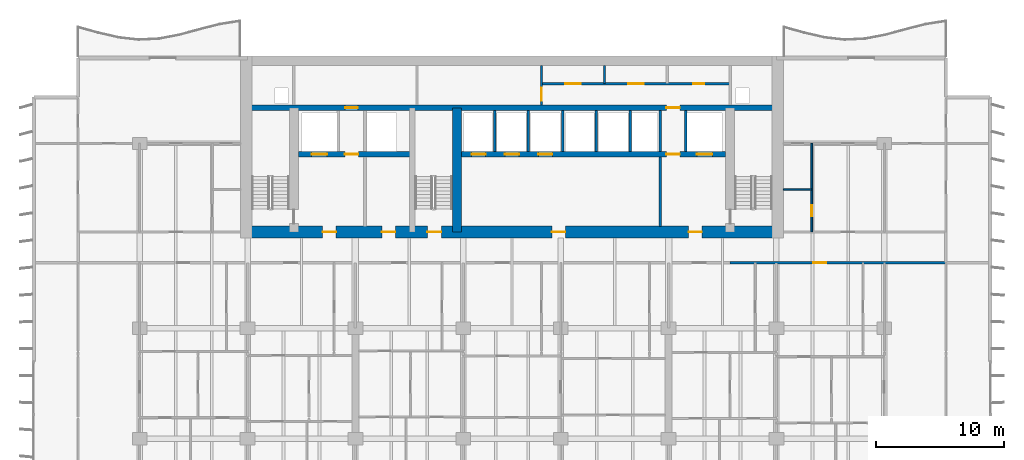
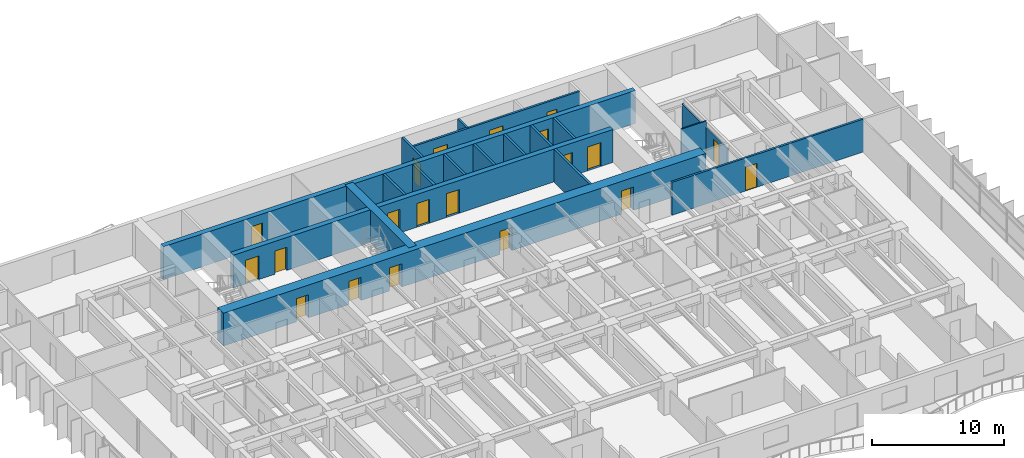
# One storey, part 11 of 18: 20 doors, 18 walls, 20 openings.
"""IFC4 building model written with IfcOpenShell, lengths in metres."""

from ifc_helpers import new_model, si_unit, direction, frame, frame_2d, origin, place, context, subcontext, project, spatial, rectangle, extrude, material, layer, layer_set, type_object, element, fill, save


model = new_model("IFC4")

# Units and contexts
model_context = context("Model", 3, precision=1e-05, world=origin(), true_north=direction((0.0, 1.0)))
body_context = subcontext(model_context, "Body", "Model", "MODEL_VIEW")
ifc_project = project(units=[si_unit("LENGTHUNIT", "METRE"), si_unit("AREAUNIT", "SQUARE_METRE"), si_unit("VOLUMEUNIT", "CUBIC_METRE"), si_unit("PLANEANGLEUNIT", "RADIAN"), si_unit("MASSUNIT", "GRAM", prefix="KILO")], contexts=[model_context])

# Site, building, storey
site_placement = place(None, origin())
site = spatial("IfcSite", under=ifc_project, at=site_placement, CompositionType="ELEMENT")
building_placement = place(site_placement, origin())
building = spatial("IfcBuilding", under=site, at=building_placement, Name="Caelmar Bay Residences", CompositionType="ELEMENT")
storey_placement = place(building_placement, frame((0.0, 0.0, 36.60009765625)))
storey = spatial("IfcBuildingStorey", under=building, at=storey_placement, Name="L08", CompositionType="ELEMENT", Elevation=36.60009765625)

# Wall
ifc_material_1 = material(Name="Concrete f'c 55 MPa (8,000 psi)", Category="concrete")
ifc_layer_1 = layer(ifc_material_1, 0.699951171875)
ifc_layer_set_1 = layer_set([ifc_layer_1], Name="Concrete f'c 55 MPa (8,000 psi)")
wall_type_1 = type_object("IfcWallType", Name="SW-COR-700", PredefinedType="SHEAR", material=ifc_layer_set_1)
wall_1_placement = place(storey_placement, frame((34.60009765625, 36.89990234375, 0.0), z_axis=(0.0, 0.0, 1.0), x_axis=(0.0, 1.0, 0.0)))
element("IfcWall", 1, at=wall_1_placement, inside=storey, type_object=wall_type_1, Name="L08 Core Structural Web Wall ST3E", PredefinedType="SHEAR", context=body_context, shape_type="SweptSolid", body=[
    extrude(rectangle(XDim=9.675048828125, YDim=0.699951171875, at=frame_2d((4.83740234375, 0.0))), origin(), (0.0, 0.0, 1.0), 3.0498046875),
])

# Wall, openings, doors
ifc_material_2 = material(Name="Concrete f'c 70 MPa (10,000 psi)", Category="concrete")
ifc_layer_2 = layer(ifc_material_2, 0.89990234375)
ifc_layer_set_2 = layer_set([ifc_layer_2], Name="Concrete f'c 70 MPa (10,000 psi)")
wall_type_2 = type_object("IfcWallType", Name="SW-COR-900", PredefinedType="SHEAR", material=ifc_layer_set_2)
wall_2_placement = place(storey_placement, frame((17.75, 36.89990234375, 0.0), z_axis=(0.0, 0.0, 1.0), x_axis=(1.0, 0.0, 0.0)))
wall_2 = element("IfcWall", 2, at=wall_2_placement, inside=storey, type_object=wall_type_2, Name="L08 Rear Core South Shear Wall", PredefinedType="SHEAR", context=body_context, shape_type="SweptSolid", body=[
    extrude(rectangle(XDim=42.300048828125, YDim=0.89990234375, at=frame_2d((21.14990234375, 0.0))), origin(), (0.0, 0.0, 1.0), 3.0498046875),
])
opening_1_placement = place(wall_2_placement, frame((14.550048828125, 0.0, 0.0)))
opening_1 = element("IfcOpeningElement", 3, at=opening_1_placement, cuts=wall_2, Name="Opening D-L08-106", PredefinedType="OPENING", context=body_context, shape_type="SweptSolid", body=[
    extrude(rectangle(XDim=1.10009765625, YDim=2.14990234375, at=frame_2d((0.550048828125, 1.074951171875))), frame((0.0, 0.4599609375, 0.0), z_axis=(0.0, -1.0, 0.0), x_axis=(1.0, 0.0, 0.0)), (0.0, 0.0, 1.0), 0.919921875),
])
opening_2_placement = place(wall_2_placement, frame((6.39990234375, 0.0, 0.0)))
opening_2 = element("IfcOpeningElement", 4, at=opening_2_placement, cuts=wall_2, Name="Opening D-L08-107", PredefinedType="OPENING", context=body_context, shape_type="SweptSolid", body=[
    extrude(rectangle(XDim=1.050048828125, YDim=2.14990234375, at=frame_2d((0.52490234375, 1.074951171875))), frame((0.0, 0.4599609375, 0.0), z_axis=(0.0, -1.0, 0.0), x_axis=(1.0, 0.0, 0.0)), (0.0, 0.0, 1.0), 0.919921875),
])
opening_3_placement = place(wall_2_placement, frame((34.89990234375, 0.0, 0.0)))
opening_3 = element("IfcOpeningElement", 5, at=opening_3_placement, cuts=wall_2, Name="Opening D-L08-110", PredefinedType="OPENING", context=body_context, shape_type="SweptSolid", body=[
    extrude(rectangle(XDim=1.050048828125, YDim=2.14990234375, at=frame_2d((0.52490234375, 1.074951171875))), frame((0.0, 0.4599609375, 0.0), z_axis=(0.0, -1.0, 0.0), x_axis=(1.0, 0.0, 0.0)), (0.0, 0.0, 1.0), 0.919921875),
])
opening_4_placement = place(wall_2_placement, frame((11.012451171875, 0.0, 0.0)))
opening_4 = element("IfcOpeningElement", 6, at=opening_4_placement, cuts=wall_2, Name="Opening D-L08-113", PredefinedType="OPENING", context=body_context, shape_type="SweptSolid", body=[
    extrude(rectangle(XDim=1.050048828125, YDim=2.14990234375, at=frame_2d((0.52490234375, 1.074951171875))), frame((0.0, 0.4599609375, 0.0), z_axis=(0.0, -1.0, 0.0), x_axis=(1.0, 0.0, 0.0)), (0.0, 0.0, 1.0), 0.919921875),
])
opening_5_placement = place(wall_2_placement, frame((24.25, 0.0, 0.0)))
opening_5 = element("IfcOpeningElement", 7, at=opening_5_placement, cuts=wall_2, Name="Opening D-L08-114", PredefinedType="OPENING", context=body_context, shape_type="SweptSolid", body=[
    extrude(rectangle(XDim=1.050048828125, YDim=2.14990234375, at=frame_2d((0.52490234375, 1.074951171875))), frame((0.0, 0.4599609375, 0.0), z_axis=(0.0, -1.0, 0.0), x_axis=(1.0, 0.0, 0.0)), (0.0, 0.0, 1.0), 0.919921875),
])
ifc_material_3 = material(Name="Fire-rated steel and walnut architectural door assembly", Category="steel")
ifc_layer_3 = layer(ifc_material_3, 0.050048828125)
ifc_layer_set_3 = layer_set([ifc_layer_3], Name="Fire-rated steel and walnut architectural door assembly")
door_type_1 = type_object("IfcDoorType", Name="D-FSAE-1050", OperationType="NOTDEFINED", PredefinedType="DOOR", material=ifc_layer_set_3)
door_1_placement = place(opening_2_placement, origin())
door_1 = element("IfcDoor", 8, at=door_1_placement, inside=storey, type_object=door_type_1, Name="L08 Firefighting Lobby West Door", OperationType="SINGLE_SWING_LEFT", OverallHeight=2.14990234375, OverallWidth=1.050048828125, PredefinedType="DOOR", context=body_context, shape_type="SweptSolid", body=[
    extrude(rectangle(XDim=1.050048828125, YDim=2.14990234375, at=frame_2d((0.52490234375, 1.074951171875))), frame((0.0, 0.02490234375, 0.0), z_axis=(0.0, -1.0, 0.0), x_axis=(1.0, 0.0, 0.0)), (0.0, 0.0, 1.0), 0.050048828125),
])
fill(opening_2, door_1)
door_2_placement = place(opening_3_placement, origin())
door_2 = element("IfcDoor", 9, at=door_2_placement, inside=storey, type_object=door_type_1, Name="L08 Firefighting Lobby East Door", OperationType="SINGLE_SWING_RIGHT", OverallHeight=2.14990234375, OverallWidth=1.050048828125, PredefinedType="DOOR", context=body_context, shape_type="SweptSolid", body=[
    extrude(rectangle(XDim=1.050048828125, YDim=2.14990234375, at=frame_2d((0.52490234375, 1.074951171875))), frame((0.0, 0.02490234375, 0.0), z_axis=(0.0, -1.0, 0.0), x_axis=(1.0, 0.0, 0.0)), (0.0, 0.0, 1.0), 0.050048828125),
])
fill(opening_3, door_2)
door_3_placement = place(opening_4_placement, origin())
door_3 = element("IfcDoor", 10, at=door_3_placement, inside=storey, type_object=door_type_1, Name="L08 West Lift Lobby Door", OperationType="SINGLE_SWING_LEFT", OverallHeight=2.14990234375, OverallWidth=1.050048828125, PredefinedType="DOOR", context=body_context, shape_type="SweptSolid", body=[
    extrude(rectangle(XDim=1.050048828125, YDim=2.14990234375, at=frame_2d((0.52490234375, 1.074951171875))), frame((0.0, 0.02490234375, 0.0), z_axis=(0.0, -1.0, 0.0), x_axis=(1.0, 0.0, 0.0)), (0.0, 0.0, 1.0), 0.050048828125),
])
fill(opening_4, door_3)
door_4_placement = place(opening_5_placement, origin())
door_4 = element("IfcDoor", 11, at=door_4_placement, inside=storey, type_object=door_type_1, Name="L08 Passenger Lift Lobby Door", OperationType="SINGLE_SWING_RIGHT", OverallHeight=2.14990234375, OverallWidth=1.050048828125, PredefinedType="DOOR", context=body_context, shape_type="SweptSolid", body=[
    extrude(rectangle(XDim=1.050048828125, YDim=2.14990234375, at=frame_2d((0.52490234375, 1.074951171875))), frame((0.0, 0.02490234375, 0.0), z_axis=(0.0, -1.0, 0.0), x_axis=(1.0, 0.0, 0.0)), (0.0, 0.0, 1.0), 0.050048828125),
])
fill(opening_5, door_4)
ifc_layer_4 = layer(ifc_material_3, 0.050048828125)
ifc_layer_set_4 = layer_set([ifc_layer_4], Name="Fire-rated steel and walnut architectural door assembly")
door_type_2 = type_object("IfcDoorType", Name="D-STAIR-1100", OperationType="NOTDEFINED", PredefinedType="DOOR", material=ifc_layer_set_4)
door_5_placement = place(opening_1_placement, origin())
door_5 = element("IfcDoor", 12, at=door_5_placement, inside=storey, type_object=door_type_2, Name="L08 Exit Stair ST3 Door", OperationType="SINGLE_SWING_RIGHT", OverallHeight=2.14990234375, OverallWidth=1.10009765625, PredefinedType="DOOR", context=body_context, shape_type="SweptSolid", body=[
    extrude(rectangle(XDim=1.10009765625, YDim=2.14990234375, at=frame_2d((0.550048828125, 1.074951171875))), frame((0.0, 0.02490234375, 0.0), z_axis=(0.0, -1.0, 0.0), x_axis=(1.0, 0.0, 0.0)), (0.0, 0.0, 1.0), 0.050048828125),
])
fill(opening_1, door_5)

ifc_layer_5 = layer(ifc_material_2, 0.449951171875)
ifc_layer_set_5 = layer_set([ifc_layer_5], Name="Concrete f'c 70 MPa (10,000 psi)")
wall_type_3 = type_object("IfcWallType", Name="SW-WEB-450", PredefinedType="SHEAR", material=ifc_layer_set_5)
wall_3_placement = place(storey_placement, frame((22.25, 42.949951171875, 0.0), z_axis=(0.0, 0.0, 1.0), x_axis=(1.0, 0.0, 0.0)))
wall_3 = element("IfcWall", 13, at=wall_3_placement, inside=storey, type_object=wall_type_3, Name="L08 Core Structural Web Wall LFR", PredefinedType="SHEAR", context=body_context, shape_type="SweptSolid", body=[
    extrude(rectangle(XDim=33.300048828125, YDim=0.449951171875, at=frame_2d((16.64990234375, 0.0))), origin(), (0.0, 0.0, 1.0), 3.0498046875),
])
opening_6_placement = place(wall_3_placement, frame((1.050048828125, 0.0, 0.0)))
opening_6 = element("IfcOpeningElement", 14, at=opening_6_placement, cuts=wall_3, Name="Opening LD2", PredefinedType="OPENING", context=body_context, shape_type="SweptSolid", body=[
    extrude(rectangle(XDim=1.199951171875, YDim=2.199951171875, at=frame_2d((0.60009765625, 1.10009765625))), frame((0.0, 0.23486328125, 0.0), z_axis=(0.0, -1.0, 0.0), x_axis=(1.0, 0.0, 0.0)), (0.0, 0.0, 1.0), 0.469970703125),
])
opening_7_placement = place(wall_3_placement, frame((31.050048828125, 0.0, 0.0)))
opening_7 = element("IfcOpeningElement", 15, at=opening_7_placement, cuts=wall_3, Name="Opening LD2", PredefinedType="OPENING", context=body_context, shape_type="SweptSolid", body=[
    extrude(rectangle(XDim=1.199951171875, YDim=2.199951171875, at=frame_2d((0.60009765625, 1.10009765625))), frame((0.0, 0.23486328125, 0.0), z_axis=(0.0, -1.0, 0.0), x_axis=(1.0, 0.0, 0.0)), (0.0, 0.0, 1.0), 0.469970703125),
])
opening_8_placement = place(wall_3_placement, frame((13.5, 0.0, 0.0)))
opening_8 = element("IfcOpeningElement", 16, at=opening_8_placement, cuts=wall_3, Name="Opening LD1", PredefinedType="OPENING", context=body_context, shape_type="SweptSolid", body=[
    extrude(rectangle(XDim=1.10009765625, YDim=2.199951171875, at=frame_2d((0.550048828125, 1.10009765625))), frame((0.0, 0.23486328125, 0.0), z_axis=(0.0, -1.0, 0.0), x_axis=(1.0, 0.0, 0.0)), (0.0, 0.0, 1.0), 0.469970703125),
])
opening_9_placement = place(wall_3_placement, frame((16.10009765625, 0.0, 0.0)))
opening_9 = element("IfcOpeningElement", 17, at=opening_9_placement, cuts=wall_3, Name="Opening LD1", PredefinedType="OPENING", context=body_context, shape_type="SweptSolid", body=[
    extrude(rectangle(XDim=1.10009765625, YDim=2.199951171875, at=frame_2d((0.550048828125, 1.10009765625))), frame((0.0, 0.23486328125, 0.0), z_axis=(0.0, -1.0, 0.0), x_axis=(1.0, 0.0, 0.0)), (0.0, 0.0, 1.0), 0.469970703125),
])
opening_10_placement = place(wall_3_placement, frame((18.699951171875, 0.0, 0.0)))
opening_10 = element("IfcOpeningElement", 18, at=opening_10_placement, cuts=wall_3, Name="Opening LD1", PredefinedType="OPENING", context=body_context, shape_type="SweptSolid", body=[
    extrude(rectangle(XDim=1.10009765625, YDim=2.199951171875, at=frame_2d((0.550048828125, 1.10009765625))), frame((0.0, 0.23486328125, 0.0), z_axis=(0.0, -1.0, 0.0), x_axis=(1.0, 0.0, 0.0)), (0.0, 0.0, 1.0), 0.469970703125),
])
opening_11_placement = place(wall_3_placement, frame((3.625, 0.0, 0.0)))
opening_11 = element("IfcOpeningElement", 19, at=opening_11_placement, cuts=wall_3, Name="Opening D-L08-109", PredefinedType="OPENING", context=body_context, shape_type="SweptSolid", body=[
    extrude(rectangle(XDim=1.050048828125, YDim=2.14990234375, at=frame_2d((0.52490234375, 1.074951171875))), frame((0.0, 0.23486328125, 0.0), z_axis=(0.0, -1.0, 0.0), x_axis=(1.0, 0.0, 0.0)), (0.0, 0.0, 1.0), 0.469970703125),
])
opening_12_placement = place(wall_3_placement, frame((28.675048828125, 0.0, 0.0)))
opening_12 = element("IfcOpeningElement", 20, at=opening_12_placement, cuts=wall_3, Name="Opening D-L08-112", PredefinedType="OPENING", context=body_context, shape_type="SweptSolid", body=[
    extrude(rectangle(XDim=1.050048828125, YDim=2.14990234375, at=frame_2d((0.52490234375, 1.074951171875))), frame((0.0, 0.23486328125, 0.0), z_axis=(0.0, -1.0, 0.0), x_axis=(1.0, 0.0, 0.0)), (0.0, 0.0, 1.0), 0.469970703125),
])
door_6_placement = place(opening_11_placement, origin())
door_6 = element("IfcDoor", 21, at=door_6_placement, inside=storey, type_object=door_type_1, Name="L08 Firefighting Lobby West Door", OperationType="SINGLE_SWING_LEFT", OverallHeight=2.14990234375, OverallWidth=1.050048828125, PredefinedType="DOOR", context=body_context, shape_type="SweptSolid", body=[
    extrude(rectangle(XDim=1.050048828125, YDim=2.14990234375, at=frame_2d((0.52490234375, 1.074951171875))), frame((0.0, 0.02490234375, 0.0), z_axis=(0.0, -1.0, 0.0), x_axis=(1.0, 0.0, 0.0)), (0.0, 0.0, 1.0), 0.050048828125),
])
fill(opening_11, door_6)
door_7_placement = place(opening_12_placement, origin())
door_7 = element("IfcDoor", 22, at=door_7_placement, inside=storey, type_object=door_type_1, Name="L08 Firefighting Lobby East Door", OperationType="SINGLE_SWING_RIGHT", OverallHeight=2.14990234375, OverallWidth=1.050048828125, PredefinedType="DOOR", context=body_context, shape_type="SweptSolid", body=[
    extrude(rectangle(XDim=1.050048828125, YDim=2.14990234375, at=frame_2d((0.52490234375, 1.074951171875))), frame((0.0, 0.02490234375, 0.0), z_axis=(0.0, -1.0, 0.0), x_axis=(1.0, 0.0, 0.0)), (0.0, 0.0, 1.0), 0.050048828125),
])
fill(opening_12, door_7)
ifc_material_4 = material(Name="Brushed bronze stainless-steel fire-rated lift landing doors", Category="steel")
ifc_layer_6 = layer(ifc_material_4, 0.050048828125)
ifc_layer_set_6 = layer_set([ifc_layer_6], Name="Brushed bronze stainless-steel fire-rated lift landing doors")
door_type_3 = type_object("IfcDoorType", Name="D-LND-1100", OperationType="DOUBLE_DOOR_SLIDING", PredefinedType="DOOR", material=ifc_layer_set_6)
door_8_placement = place(opening_8_placement, origin())
door_8 = element("IfcDoor", 23, at=door_8_placement, inside=storey, type_object=door_type_3, Name="L08 LP1 Sliding Landing Door", OperationType="DOUBLE_DOOR_SLIDING", OverallHeight=2.199951171875, OverallWidth=1.10009765625, PredefinedType="DOOR", context=body_context, shape_type="SweptSolid", body=[
    extrude(rectangle(XDim=1.10009765625, YDim=2.199951171875, at=frame_2d((0.550048828125, 1.10009765625))), frame((0.0, 0.02490234375, 0.0), z_axis=(0.0, -1.0, 0.0), x_axis=(1.0, 0.0, 0.0)), (0.0, 0.0, 1.0), 0.050048828125),
])
fill(opening_8, door_8)
door_9_placement = place(opening_9_placement, origin())
door_9 = element("IfcDoor", 24, at=door_9_placement, inside=storey, type_object=door_type_3, Name="L08 LP2 Sliding Landing Door", OperationType="DOUBLE_DOOR_SLIDING", OverallHeight=2.199951171875, OverallWidth=1.10009765625, PredefinedType="DOOR", context=body_context, shape_type="SweptSolid", body=[
    extrude(rectangle(XDim=1.10009765625, YDim=2.199951171875, at=frame_2d((0.550048828125, 1.10009765625))), frame((0.0, 0.02490234375, 0.0), z_axis=(0.0, -1.0, 0.0), x_axis=(1.0, 0.0, 0.0)), (0.0, 0.0, 1.0), 0.050048828125),
])
fill(opening_9, door_9)
door_10_placement = place(opening_10_placement, origin())
door_10 = element("IfcDoor", 25, at=door_10_placement, inside=storey, type_object=door_type_3, Name="L08 LP3 Sliding Landing Door", OperationType="DOUBLE_DOOR_SLIDING", OverallHeight=2.199951171875, OverallWidth=1.10009765625, PredefinedType="DOOR", context=body_context, shape_type="SweptSolid", body=[
    extrude(rectangle(XDim=1.10009765625, YDim=2.199951171875, at=frame_2d((0.550048828125, 1.10009765625))), frame((0.0, 0.02490234375, 0.0), z_axis=(0.0, -1.0, 0.0), x_axis=(1.0, 0.0, 0.0)), (0.0, 0.0, 1.0), 0.050048828125),
])
fill(opening_10, door_10)
ifc_material_5 = material(Name="Brushed stainless-steel FSAE sliding landing door", Category="steel")
ifc_layer_7 = layer(ifc_material_5, 0.050048828125)
ifc_layer_set_7 = layer_set([ifc_layer_7], Name="Brushed stainless-steel FSAE sliding landing door")
door_type_4 = type_object("IfcDoorType", Name="D-LND-1200", OperationType="DOUBLE_DOOR_SLIDING", PredefinedType="DOOR", material=ifc_layer_set_7)
door_11_placement = place(opening_6_placement, origin())
door_11 = element("IfcDoor", 26, at=door_11_placement, inside=storey, type_object=door_type_4, Name="L08 LF1 Sliding Landing Door", OperationType="DOUBLE_DOOR_SLIDING", OverallHeight=2.199951171875, OverallWidth=1.199951171875, PredefinedType="DOOR", context=body_context, shape_type="SweptSolid", body=[
    extrude(rectangle(XDim=1.199951171875, YDim=2.199951171875, at=frame_2d((0.60009765625, 1.10009765625))), frame((0.0, 0.02490234375, 0.0), z_axis=(0.0, -1.0, 0.0), x_axis=(1.0, 0.0, 0.0)), (0.0, 0.0, 1.0), 0.050048828125),
])
fill(opening_6, door_11)
door_12_placement = place(opening_7_placement, origin())
door_12 = element("IfcDoor", 27, at=door_12_placement, inside=storey, type_object=door_type_4, Name="L08 LF2 Sliding Landing Door", OperationType="DOUBLE_DOOR_SLIDING", OverallHeight=2.199951171875, OverallWidth=1.199951171875, PredefinedType="DOOR", context=body_context, shape_type="SweptSolid", body=[
    extrude(rectangle(XDim=1.199951171875, YDim=2.199951171875, at=frame_2d((0.60009765625, 1.10009765625))), frame((0.0, 0.02490234375, 0.0), z_axis=(0.0, -1.0, 0.0), x_axis=(1.0, 0.0, 0.0)), (0.0, 0.0, 1.0), 0.050048828125),
])
fill(opening_7, door_12)

wall_4_placement = place(storey_placement, frame((18.199951171875, 46.574951171875, 0.0), z_axis=(0.0, 0.0, 1.0), x_axis=(1.0, 0.0, 0.0)))
wall_4 = element("IfcWall", 28, at=wall_4_placement, inside=storey, type_object=wall_type_3, Name="L08 Core Structural Web Wall SRVS", PredefinedType="SHEAR", context=body_context, shape_type="SweptSolid", body=[
    extrude(rectangle(XDim=41.400146484375, YDim=0.449951171875, at=frame_2d((20.7001953125, 0.0))), origin(), (0.0, 0.0, 1.0), 3.0498046875),
])
opening_13_placement = place(wall_4_placement, frame((7.699951171875, 0.0, 0.0)))
opening_13 = element("IfcOpeningElement", 29, at=opening_13_placement, cuts=wall_4, Name="Opening D-L08-115", PredefinedType="OPENING", context=body_context, shape_type="SweptSolid", body=[
    extrude(rectangle(XDim=1.0, YDim=2.199951171875, at=frame_2d((0.5, 1.10009765625))), frame((0.0, 0.23486328125, 0.0), z_axis=(0.0, -1.0, 0.0), x_axis=(1.0, 0.0, 0.0)), (0.0, 0.0, 1.0), 0.469970703125),
])
opening_14_placement = place(wall_4_placement, frame((32.72509765625, 0.0, 0.0)))
opening_14 = element("IfcOpeningElement", 30, at=opening_14_placement, cuts=wall_4, Name="Opening D-L08-116", PredefinedType="OPENING", context=body_context, shape_type="SweptSolid", body=[
    extrude(rectangle(XDim=1.050048828125, YDim=2.14990234375, at=frame_2d((0.52490234375, 1.074951171875))), frame((0.0, 0.23486328125, 0.0), z_axis=(0.0, -1.0, 0.0), x_axis=(1.0, 0.0, 0.0)), (0.0, 0.0, 1.0), 0.469970703125),
])
door_13_placement = place(opening_14_placement, origin())
door_13 = element("IfcDoor", 31, at=door_13_placement, inside=storey, type_object=door_type_1, Name="L08 East Core Service Corridor Door", OperationType="SINGLE_SWING_RIGHT", OverallHeight=2.14990234375, OverallWidth=1.050048828125, PredefinedType="DOOR", context=body_context, shape_type="SweptSolid", body=[
    extrude(rectangle(XDim=1.050048828125, YDim=2.14990234375, at=frame_2d((0.52490234375, 1.074951171875))), frame((0.0, 0.02490234375, 0.0), z_axis=(0.0, -1.0, 0.0), x_axis=(1.0, 0.0, 0.0)), (0.0, 0.0, 1.0), 0.050048828125),
])
fill(opening_14, door_13)
ifc_layer_8 = layer(ifc_material_3, 0.050048828125)
ifc_layer_set_8 = layer_set([ifc_layer_8], Name="Fire-rated steel and walnut architectural door assembly")
door_type_5 = type_object("IfcDoorType", Name="D-UNIT-1000", OperationType="NOTDEFINED", PredefinedType="DOOR", material=ifc_layer_set_8)
door_14_placement = place(opening_13_placement, origin())
door_14 = element("IfcDoor", 32, at=door_14_placement, inside=storey, type_object=door_type_5, Name="L08 Package Concierge Office Door", OperationType="SINGLE_SWING_LEFT", OverallHeight=2.199951171875, OverallWidth=1.0, PredefinedType="DOOR", context=body_context, shape_type="SweptSolid", body=[
    extrude(rectangle(XDim=1.0, YDim=2.199951171875, at=frame_2d((0.5, 1.10009765625))), frame((0.0, 0.02490234375, 0.0), z_axis=(0.0, -1.0, 0.0), x_axis=(1.0, 0.0, 0.0)), (0.0, 0.0, 1.0), 0.050048828125),
])
fill(opening_13, door_14)

# Wall, opening, door
ifc_material_6 = material(Name="Double-stud acoustic fire-rated gypsum partition 180 mm")
ifc_layer_9 = layer(ifc_material_6, 0.179931640625)
ifc_layer_set_9 = layer_set([ifc_layer_9], Name="Double-stud acoustic fire-rated gypsum partition 180 mm")
wall_type_4 = type_object("IfcWallType", Name="W-COR-200", PredefinedType="PARTITIONING", material=ifc_layer_set_9)
wall_5_placement = place(storey_placement, frame((41.199951171875, 46.794921875, 0.0), z_axis=(0.0, 0.0, 1.0), x_axis=(0.0, 1.0, 0.0)))
wall_5 = element("IfcWall", 33, at=wall_5_placement, inside=storey, type_object=wall_type_4, Name="L08 Partition Wall V052", PredefinedType="PARTITIONING", context=body_context, shape_type="SweptSolid", body=[
    extrude(rectangle(XDim=3.06005859375, YDim=0.179931640625, at=frame_2d((1.530029296875, 0.0))), origin(), (0.0, 0.0, 1.0), 3.0498046875),
])
opening_15_placement = place(wall_5_placement, frame((0.327392578125, 0.0, 0.0)))
opening_15 = element("IfcOpeningElement", 34, at=opening_15_placement, cuts=wall_5, Name="Opening D-L08-117", PredefinedType="OPENING", context=body_context, shape_type="SweptSolid", body=[
    extrude(rectangle(XDim=1.0, YDim=2.199951171875, at=frame_2d((0.5, 1.10009765625))), frame((0.0, 0.099853515625, 0.0), z_axis=(0.0, -1.0, 0.0), x_axis=(1.0, 0.0, 0.0)), (0.0, 0.0, 1.0), 0.199951171875),
])
door_15_placement = place(opening_15_placement, origin())
door_15 = element("IfcDoor", 35, at=door_15_placement, inside=storey, type_object=door_type_5, Name="L08 Engineering Control Office Door", OperationType="SINGLE_SWING_LEFT", OverallHeight=2.199951171875, OverallWidth=1.0, PredefinedType="DOOR", context=body_context, shape_type="SweptSolid", body=[
    extrude(rectangle(XDim=1.0, YDim=2.199951171875, at=frame_2d((0.5, 1.10009765625))), frame((0.0, 0.02490234375, 0.0), z_axis=(0.0, -1.0, 0.0), x_axis=(1.0, 0.0, 0.0)), (0.0, 0.0, 1.0), 0.050048828125),
])
fill(opening_15, door_15)

# Wall
wall_6_placement = place(storey_placement, frame((46.10009765625, 48.449951171875, 0.0), z_axis=(0.0, 0.0, 1.0), x_axis=(0.0, 1.0, 0.0)))
element("IfcWall", 36, at=wall_6_placement, inside=storey, type_object=wall_type_4, Name="L08 Partition Wall V060", PredefinedType="PARTITIONING", context=body_context, shape_type="SweptSolid", body=[
    extrude(rectangle(XDim=1.405029296875, YDim=0.179931640625, at=frame_2d((0.70263671875, 0.0))), origin(), (0.0, 0.0, 1.0), 3.0498046875),
])

# Wall, opening, door
wall_7_placement = place(storey_placement, frame((55.89990234375, 34.5, 0.0), z_axis=(0.0, 0.0, 1.0), x_axis=(1.0, 0.0, 0.0)))
wall_7 = element("IfcWall", 37, at=wall_7_placement, inside=storey, type_object=wall_type_4, Name="L08 Partition Wall H128", PredefinedType="PARTITIONING", context=body_context, shape_type="SweptSolid", body=[
    extrude(rectangle(XDim=16.800048828125, YDim=0.179931640625, at=frame_2d((8.39990234375, 0.0))), origin(), (0.0, 0.0, 1.0), 3.0498046875),
])
opening_16_placement = place(wall_7_placement, frame((6.47509765625, 0.0, 0.0)))
opening_16 = element("IfcOpeningElement", 38, at=opening_16_placement, cuts=wall_7, Name="Opening D-L08-159", PredefinedType="OPENING", context=body_context, shape_type="SweptSolid", body=[
    extrude(rectangle(XDim=1.0, YDim=2.199951171875, at=frame_2d((0.5, 1.10009765625))), frame((0.0, 0.099853515625, 0.0), z_axis=(0.0, -1.0, 0.0), x_axis=(1.0, 0.0, 0.0)), (0.0, 0.0, 1.0), 0.199951171875),
])
door_16_placement = place(opening_16_placement, origin())
door_16 = element("IfcDoor", 39, at=door_16_placement, inside=storey, type_object=door_type_5, Name="L08 Residence 06 Apartment Hall Door", OperationType="SINGLE_SWING_LEFT", OverallHeight=2.199951171875, OverallWidth=1.0, PredefinedType="DOOR", context=body_context, shape_type="SweptSolid", body=[
    extrude(rectangle(XDim=1.0, YDim=2.199951171875, at=frame_2d((0.5, 1.10009765625))), frame((0.0, 0.02490234375, 0.0), z_axis=(0.0, -1.0, 0.0), x_axis=(1.0, 0.0, 0.0)), (0.0, 0.0, 1.0), 0.050048828125),
])
fill(opening_16, door_16)

# Wall, openings, doors
wall_8_placement = place(storey_placement, frame((41.199951171875, 48.449951171875, 0.0), z_axis=(0.0, 0.0, 1.0), x_axis=(1.0, 0.0, 0.0)))
wall_8 = element("IfcWall", 40, at=wall_8_placement, inside=storey, type_object=wall_type_4, Name="L08 Partition Wall H136", PredefinedType="PARTITIONING", context=body_context, shape_type="SweptSolid", body=[
    extrude(rectangle(XDim=14.68603515625, YDim=0.179931640625, at=frame_2d((7.343017578125, 0.0))), origin(), (0.0, 0.0, 1.0), 3.0498046875),
])
opening_17_placement = place(wall_8_placement, frame((1.85009765625, 0.0, 0.0)))
opening_17 = element("IfcOpeningElement", 41, at=opening_17_placement, cuts=wall_8, Name="Opening D-L08-118", PredefinedType="OPENING", context=body_context, shape_type="SweptSolid", body=[
    extrude(rectangle(XDim=1.199951171875, YDim=2.199951171875, at=frame_2d((0.60009765625, 1.10009765625))), frame((0.0, 0.099853515625, 0.0), z_axis=(0.0, -1.0, 0.0), x_axis=(1.0, 0.0, 0.0)), (0.0, 0.0, 1.0), 0.199951171875),
])
opening_18_placement = place(wall_8_placement, frame((6.75, 0.0, 0.0)))
opening_18 = element("IfcOpeningElement", 42, at=opening_18_placement, cuts=wall_8, Name="Opening D-L08-119", PredefinedType="OPENING", context=body_context, shape_type="SweptSolid", body=[
    extrude(rectangle(XDim=1.199951171875, YDim=2.199951171875, at=frame_2d((0.60009765625, 1.10009765625))), frame((0.0, 0.099853515625, 0.0), z_axis=(0.0, -1.0, 0.0), x_axis=(1.0, 0.0, 0.0)), (0.0, 0.0, 1.0), 0.199951171875),
])
opening_19_placement = place(wall_8_placement, frame((11.818115234375, 0.0, 0.0)))
opening_19 = element("IfcOpeningElement", 43, at=opening_19_placement, cuts=wall_8, Name="Opening D-L08-120", PredefinedType="OPENING", context=body_context, shape_type="SweptSolid", body=[
    extrude(rectangle(XDim=0.85009765625, YDim=2.10009765625, at=frame_2d((0.425048828125, 1.050048828125))), frame((0.0, 0.099853515625, 0.0), z_axis=(0.0, -1.0, 0.0), x_axis=(1.0, 0.0, 0.0)), (0.0, 0.0, 1.0), 0.199951171875),
])
ifc_layer_10 = layer(ifc_material_3, 0.050048828125)
ifc_layer_set_10 = layer_set([ifc_layer_10], Name="Fire-rated steel and walnut architectural door assembly")
door_type_6 = type_object("IfcDoorType", Name="D-CORE-850", OperationType="NOTDEFINED", PredefinedType="DOOR", material=ifc_layer_set_10)
door_17_placement = place(opening_19_placement, origin())
door_17 = element("IfcDoor", 44, at=door_17_placement, inside=storey, type_object=door_type_6, Name="L08 Accessible Staff WC Door", OperationType="SINGLE_SWING_RIGHT", OverallHeight=2.10009765625, OverallWidth=0.85009765625, PredefinedType="DOOR", context=body_context, shape_type="SweptSolid", body=[
    extrude(rectangle(XDim=0.85009765625, YDim=2.10009765625, at=frame_2d((0.425048828125, 1.050048828125))), frame((0.0, 0.02490234375, 0.0), z_axis=(0.0, -1.0, 0.0), x_axis=(1.0, 0.0, 0.0)), (0.0, 0.0, 1.0), 0.050048828125),
])
fill(opening_19, door_17)
ifc_layer_11 = layer(ifc_material_3, 0.050048828125)
ifc_layer_set_11 = layer_set([ifc_layer_11], Name="Fire-rated steel and walnut architectural door assembly")
door_type_7 = type_object("IfcDoorType", Name="D-PLANT-1200", OperationType="NOTDEFINED", PredefinedType="DOOR", material=ifc_layer_set_11)
door_18_placement = place(opening_17_placement, origin())
door_18 = element("IfcDoor", 45, at=door_18_placement, inside=storey, type_object=door_type_7, Name="L08 Electrical Closet Door", OperationType="SINGLE_SWING_RIGHT", OverallHeight=2.199951171875, OverallWidth=1.199951171875, PredefinedType="DOOR", context=body_context, shape_type="SweptSolid", body=[
    extrude(rectangle(XDim=1.199951171875, YDim=2.199951171875, at=frame_2d((0.60009765625, 1.10009765625))), frame((0.0, 0.02490234375, 0.0), z_axis=(0.0, -1.0, 0.0), x_axis=(1.0, 0.0, 0.0)), (0.0, 0.0, 1.0), 0.050048828125),
])
fill(opening_17, door_18)
door_19_placement = place(opening_18_placement, origin())
door_19 = element("IfcDoor", 46, at=door_19_placement, inside=storey, type_object=door_type_7, Name="L08 Housekeeping Linen Closet Door", OperationType="SINGLE_SWING_LEFT", OverallHeight=2.199951171875, OverallWidth=1.199951171875, PredefinedType="DOOR", context=body_context, shape_type="SweptSolid", body=[
    extrude(rectangle(XDim=1.199951171875, YDim=2.199951171875, at=frame_2d((0.60009765625, 1.10009765625))), frame((0.0, 0.02490234375, 0.0), z_axis=(0.0, -1.0, 0.0), x_axis=(1.0, 0.0, 0.0)), (0.0, 0.0, 1.0), 0.050048828125),
])
fill(opening_18, door_19)

# Walls
ifc_material_7 = material(Name="Fire-rated masonry and gypsum shaftliner assembly 200 mm", Category="masonry")
ifc_layer_12 = layer(ifc_material_7, 0.199951171875)
ifc_layer_set_12 = layer_set([ifc_layer_12], Name="Fire-rated masonry and gypsum shaftliner assembly 200 mm")
wall_type_5 = type_object("IfcWallType", Name="W-FSAE-200", PredefinedType="PARTITIONING", material=ifc_layer_set_12)
for number, where, z_axis, x_axis, name in (
    (47, (37.550048828125, 43.169921875, 0.0), (0.0, 0.0, 1.0), (0.0, 1.0, 0.0), "L08 Partition Wall V048"),
    (48, (40.14990234375, 43.169921875, 0.0), (0.0, 0.0, 1.0), (0.0, 1.0, 0.0), "L08 Partition Wall V049"),
    (49, (42.85009765625, 43.169921875, 0.0), (0.0, 0.0, 1.0), (0.0, 1.0, 0.0), "L08 Partition Wall V058"),
    (50, (45.449951171875, 43.169921875, 0.0), (0.0, 0.0, 1.0), (0.0, 1.0, 0.0), "L08 Partition Wall V059"),
    (51, (48.10009765625, 43.169921875, 0.0), (0.0, 0.0, 1.0), (0.0, 1.0, 0.0), "L08 Partition Wall V061"),
):
    element("IfcWall", number, at=place(storey_placement, frame(where, z_axis=z_axis, x_axis=x_axis)), inside=storey, type_object=wall_type_5, Name=name, PredefinedType="PARTITIONING", context=body_context, shape_type="SweptSolid", body=[
        extrude(rectangle(XDim=3.18505859375, YDim=0.199951171875, at=frame_2d((1.592529296875, 0.0))), origin(), (0.0, 0.0, 1.0), 3.0498046875),
    ])
wall_9_placement = place(storey_placement, frame((50.449951171875, 37.344970703125, 0.0), z_axis=(0.0, 0.0, 1.0), x_axis=(0.0, 1.0, 0.0)))
element("IfcWall", 52, at=wall_9_placement, inside=storey, type_object=wall_type_5, Name="L08 Partition Wall V065", PredefinedType="PARTITIONING", context=body_context, shape_type="SweptSolid", body=[
    extrude(rectangle(XDim=5.385009765625, YDim=0.199951171875, at=frame_2d((2.6923828125, 0.0))), origin(), (0.0, 0.0, 1.0), 3.0498046875),
])
for number, where, z_axis, x_axis, name in (
    (53, (50.449951171875, 43.169921875, 0.0), (0.0, 0.0, 1.0), (0.0, 1.0, 0.0), "L08 Partition Wall V066"),
    (54, (52.449951171875, 43.169921875, 0.0), (0.0, 0.0, 1.0), (0.0, 1.0, 0.0), "L08 Partition Wall V071"),
):
    element("IfcWall", number, at=place(storey_placement, frame(where, z_axis=z_axis, x_axis=x_axis)), inside=storey, type_object=wall_type_5, Name=name, PredefinedType="PARTITIONING", context=body_context, shape_type="SweptSolid", body=[
        extrude(rectangle(XDim=3.18505859375, YDim=0.199951171875, at=frame_2d((1.592529296875, 0.0))), origin(), (0.0, 0.0, 1.0), 3.0498046875),
    ])

# Wall, opening, door
ifc_material_8 = material(Name="Acoustic metal-stud gypsum partition 120 mm")
ifc_layer_13 = layer(ifc_material_8, 0.1201171875)
ifc_layer_set_13 = layer_set([ifc_layer_13], Name="Acoustic metal-stud gypsum partition 120 mm")
wall_type_6 = type_object("IfcWallType", Name="W-PRT-120", PredefinedType="PARTITIONING", material=ifc_layer_set_13)
wall_10_placement = place(storey_placement, frame((62.25, 36.89990234375, 0.0), z_axis=(0.0, 0.0, 1.0), x_axis=(0.0, 1.0, 0.0)))
wall_10 = element("IfcWall", 55, at=wall_10_placement, inside=storey, type_object=wall_type_6, Name="L08 Partition Wall V083", PredefinedType="PARTITIONING", context=body_context, shape_type="SweptSolid", body=[
    extrude(rectangle(XDim=6.900146484375, YDim=0.1201171875, at=frame_2d((3.4501953125, 0.0))), origin(), (0.0, 0.0, 1.0), 2.48583984375),
])
opening_20_placement = place(wall_10_placement, frame((1.23095703125, 0.0, 0.0)))
opening_20 = element("IfcOpeningElement", 56, at=opening_20_placement, cuts=wall_10, Name="Opening D-L08-179", PredefinedType="OPENING", context=body_context, shape_type="SweptSolid", body=[
    extrude(rectangle(XDim=0.85009765625, YDim=2.10009765625, at=frame_2d((0.425048828125, 1.050048828125))), frame((0.0, 0.070068359375, 0.0), z_axis=(0.0, -1.0, 0.0), x_axis=(1.0, 0.0, 0.0)), (0.0, 0.0, 1.0), 0.14013671875),
])
ifc_material_9 = material(Name="Solid walnut timber interior door leaf and frame", Category="wood")
ifc_layer_14 = layer(ifc_material_9, 0.050048828125)
ifc_layer_set_14 = layer_set([ifc_layer_14], Name="Solid walnut timber interior door leaf and frame")
door_type_8 = type_object("IfcDoorType", Name="D-BATH-850", OperationType="NOTDEFINED", PredefinedType="DOOR", material=ifc_layer_set_14)
door_20_placement = place(opening_20_placement, origin())
door_20 = element("IfcDoor", 57, at=door_20_placement, inside=storey, type_object=door_type_8, Name="L08 Residence EA Walk-In Closet Door", OperationType="SINGLE_SWING_LEFT", OverallHeight=2.10009765625, OverallWidth=0.85009765625, PredefinedType="DOOR", context=body_context, shape_type="SweptSolid", body=[
    extrude(rectangle(XDim=0.85009765625, YDim=2.10009765625, at=frame_2d((0.425048828125, 1.050048828125))), frame((0.0, 0.02490234375, 0.0), z_axis=(0.0, -1.0, 0.0), x_axis=(1.0, 0.0, 0.0)), (0.0, 0.0, 1.0), 0.050048828125),
])
fill(opening_20, door_20)

# Wall
wall_11_placement = place(storey_placement, frame((60.044921875, 40.2119140625, 0.0), z_axis=(0.0, 0.0, 1.0), x_axis=(1.0, 0.0, 0.0)))
element("IfcWall", 58, at=wall_11_placement, inside=storey, type_object=wall_type_6, Name="L08 Partition Wall H133", PredefinedType="PARTITIONING", context=body_context, shape_type="SweptSolid", body=[
    extrude(rectangle(XDim=2.205078125, YDim=0.1201171875, at=frame_2d((1.1025390625, 0.0))), origin(), (0.0, 0.0, 1.0), 3.0498046875),
])

save(model, "model.ifc")
